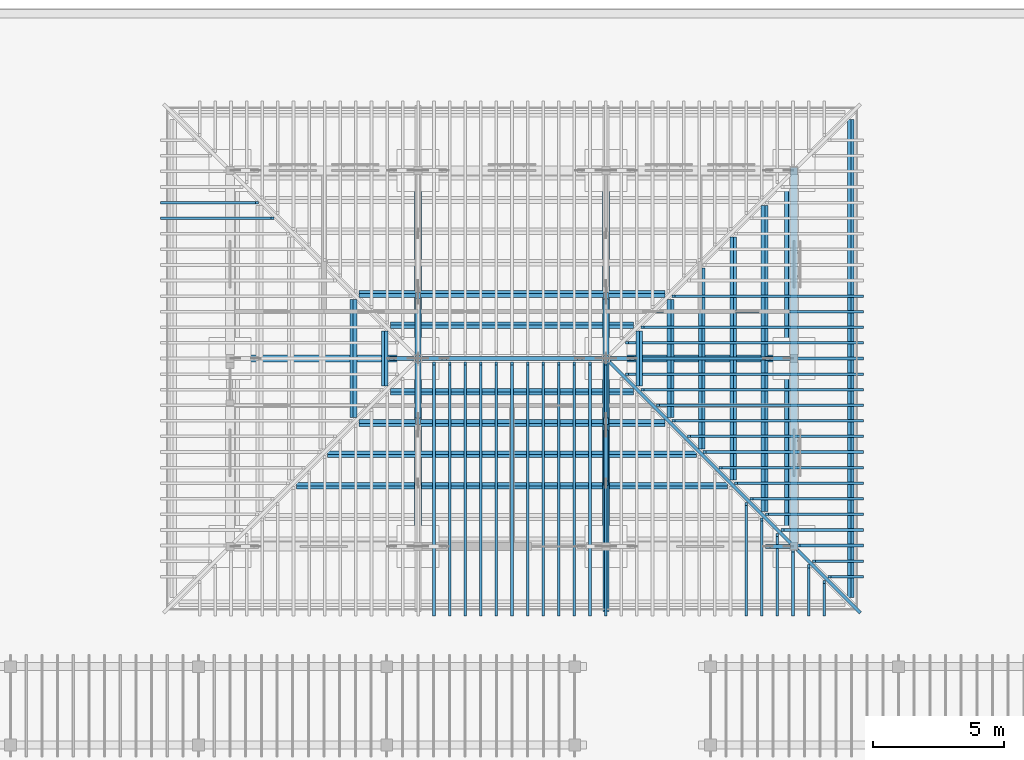
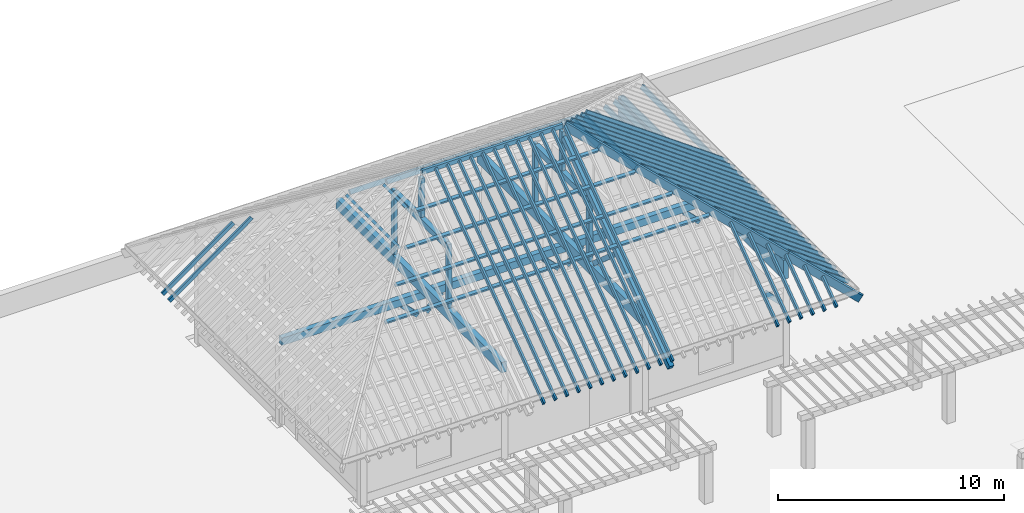
# One storey, part 12 of 84: 73 members, 4 beams.
"""IFC4 building model written with IfcOpenShell, lengths in metres."""

from ifc_helpers import new_model, si_unit, direction, frame, origin, origin_2d, place, context, subcontext, project, spatial, rectangle, extrude, material, material_profile, profile_set, type_object, element, save


model = new_model("IFC4")

# Units and contexts
model_context = context("Model", 3, precision=1e-05, world=origin(), true_north=direction((0.0, 1.0)))
body_context = subcontext(model_context, "Body", "Model", "MODEL_VIEW")
ifc_project = project(units=[si_unit("LENGTHUNIT", "METRE"), si_unit("AREAUNIT", "SQUARE_METRE"), si_unit("VOLUMEUNIT", "CUBIC_METRE"), si_unit("PLANEANGLEUNIT", "RADIAN"), si_unit("MASSUNIT", "GRAM", prefix="KILO")], contexts=[model_context])

# Site, building, storey
site_placement = place(None, origin())
site = spatial("IfcSite", under=ifc_project, at=site_placement, CompositionType="ELEMENT")
building_placement = place(site_placement, origin())
building = spatial("IfcBuilding", under=site, at=building_placement, Name="Mazhai Court Health Centre", CompositionType="ELEMENT")
storey_placement = place(building_placement, origin())
storey = spatial("IfcBuildingStorey", under=building, at=storey_placement, Name="L00", CompositionType="ELEMENT", Elevation=0.0)

# Members
ifc_material_1 = material(Name="Glulam GL24h", Category="wood")
ifc_material_profile_1 = material_profile(ifc_material_1, rectangle(XDim=0.10009765625, YDim=0.199951171875, at=origin_2d()), Name="GL24h 100x200")
ifc_profile_set_1 = profile_set([ifc_material_profile_1], Name="Glulam GL24h")
member_type_1 = type_object("IfcMemberType", Name="GL24h 100x200 rafter", PredefinedType="RAFTER", material=ifc_profile_set_1)
member_1_placement = place(storey_placement, frame((115.3544921875, 46.8017578125, 4.09375), z_axis=(0.0, 0.812418522715, 0.583074732731), x_axis=(-1.0, 0.0, 0.0)))
element("IfcMember", 1, at=member_1_placement, inside=storey, type_object=member_type_1, Name="Rafter RV3-RF1", PredefinedType="RAFTER", context=body_context, shape_type="SweptSolid", body=[
    extrude(rectangle(XDim=0.10009765625, YDim=0.199951171875, at=origin_2d()), origin(), (0.0, 0.0, 1.0), 1.532958984375),
])
member_2_placement = place(storey_placement, frame((114.7568359375, 46.8017578125, 4.09375), z_axis=(0.0, 0.812451818334, 0.583028337978), x_axis=(-1.0, 0.0, 0.0)))
element("IfcMember", 2, at=member_2_placement, inside=storey, type_object=member_type_1, Name="Rafter RV3-RF2", PredefinedType="RAFTER", context=body_context, shape_type="SweptSolid", body=[
    extrude(rectangle(XDim=0.10009765625, YDim=0.199951171875, at=origin_2d()), origin(), (0.0, 0.0, 1.0), 2.268798828125),
])
member_3_placement = place(storey_placement, frame((114.1591796875, 46.8017578125, 4.09375), z_axis=(0.0, 0.812402691267, 0.583096790612), x_axis=(-1.0, 0.0, 0.0)))
element("IfcMember", 3, at=member_3_placement, inside=storey, type_object=member_type_1, Name="Rafter RV3-RF3", PredefinedType="RAFTER", context=body_context, shape_type="SweptSolid", body=[
    extrude(rectangle(XDim=0.10009765625, YDim=0.199951171875, at=origin_2d()), origin(), (0.0, 0.0, 1.0), 3.004638671875),
])
member_4_placement = place(storey_placement, frame((113.561279296875, 46.8017578125, 4.09375), z_axis=(0.0, 0.812403810832, 0.58309523077), x_axis=(-1.0, 0.0, 0.0)))
element("IfcMember", 4, at=member_4_placement, inside=storey, type_object=member_type_1, Name="Rafter RV3-RF4", PredefinedType="RAFTER", context=body_context, shape_type="SweptSolid", body=[
    extrude(rectangle(XDim=0.10009765625, YDim=0.199951171875, at=origin_2d()), origin(), (0.0, 0.0, 1.0), 3.740234375),
])
member_5_placement = place(storey_placement, frame((112.963623046875, 46.8017578125, 4.09375), z_axis=(0.0, 0.812423106631, 0.583068345746), x_axis=(-1.0, 0.0, 0.0)))
element("IfcMember", 5, at=member_5_placement, inside=storey, type_object=member_type_1, Name="Rafter RV3-RF5", PredefinedType="RAFTER", context=body_context, shape_type="SweptSolid", body=[
    extrude(rectangle(XDim=0.10009765625, YDim=0.199951171875, at=origin_2d()), origin(), (0.0, 0.0, 1.0), 4.47607421875),
])
member_6_placement = place(storey_placement, frame((112.365966796875, 46.8017578125, 4.09375), z_axis=(0.0, 0.812421028402, 0.583071241453), x_axis=(-1.0, 0.0, 0.0)))
element("IfcMember", 6, at=member_6_placement, inside=storey, type_object=member_type_1, Name="Rafter RV3-RF6", PredefinedType="RAFTER", context=body_context, shape_type="SweptSolid", body=[
    extrude(rectangle(XDim=0.10009765625, YDim=0.199951171875, at=origin_2d()), origin(), (0.0, 0.0, 1.0), 5.211669921875),
])
for number, where, z_axis, x_axis, name in (
    (7, (106.986328125, 46.8017578125, 4.09375), (0.0, 0.812433146578, 0.583054356249), (-1.0, 0.0, 0.0), "Rafter RV3-RF15"),
    (8, (106.388671875, 46.8017578125, 4.09375), (0.0, 0.812433146578, 0.583054356249), (-1.0, 0.0, 0.0), "Rafter RV3-RF16"),
    (9, (105.791015625, 46.8017578125, 4.09375), (0.0, 0.812433146578, 0.583054356249), (-1.0, 0.0, 0.0), "Rafter RV3-RF17"),
    (10, (105.193115234375, 46.8017578125, 4.09375), (0.0, 0.812433146578, 0.583054356249), (-1.0, 0.0, 0.0), "Rafter RV3-RF18"),
    (11, (104.595458984375, 46.8017578125, 4.09375), (0.0, 0.812433146578, 0.583054356249), (-1.0, 0.0, 0.0), "Rafter RV3-RF19"),
    (12, (103.997802734375, 46.8017578125, 4.09375), (0.0, 0.812433146578, 0.583054356249), (-1.0, 0.0, 0.0), "Rafter RV3-RF20"),
    (13, (103.39990234375, 46.8017578125, 4.09375), (0.0, 0.812433146578, 0.583054356249), (-1.0, 0.0, 0.0), "Rafter RV3-RF21"),
    (14, (102.80224609375, 46.8017578125, 4.09375), (0.0, 0.812433146578, 0.583054356249), (-1.0, 0.0, 0.0), "Rafter RV3-RF22"),
    (15, (102.20458984375, 46.8017578125, 4.09375), (0.0, 0.812433146578, 0.583054356249), (-1.0, 0.0, 0.0), "Rafter RV3-RF23"),
    (16, (101.60693359375, 46.8017578125, 4.09375), (0.0, 0.812433146578, 0.583054356249), (-1.0, 0.0, 0.0), "Rafter RV3-RF24"),
    (17, (101.009033203125, 46.8017578125, 4.09375), (0.0, 0.812433146578, 0.583054356249), (-1.0, 0.0, 0.0), "Rafter RV3-RF25"),
    (18, (100.411376953125, 46.8017578125, 4.09375), (0.0, 0.812433146578, 0.583054356249), (-1.0, 0.0, 0.0), "Rafter RV3-RF26"),
):
    element("IfcMember", number, at=place(storey_placement, frame(where, z_axis=z_axis, x_axis=x_axis)), inside=storey, type_object=member_type_1, Name=name, PredefinedType="RAFTER", context=body_context, shape_type="SweptSolid", body=[
        extrude(rectangle(XDim=0.10009765625, YDim=0.199951171875, at=origin_2d()), origin(), (0.0, 0.0, 1.0), 11.81640625),
    ])
member_7_placement = place(storey_placement, frame((90.001708984375, 61.971923828125, 4.09375), z_axis=(0.81243825622, 0.0, 0.583047236362), x_axis=(0.0, 1.0, 0.0)))
element("IfcMember", 19, at=member_7_placement, inside=storey, type_object=member_type_1, Name="Rafter RV3-RF106", PredefinedType="RAFTER", context=body_context, shape_type="SweptSolid", body=[
    extrude(rectangle(XDim=0.10009765625, YDim=0.199951171875, at=origin_2d()), origin(), (0.0, 0.0, 1.0), 5.204345703125),
])
member_8_placement = place(storey_placement, frame((90.001708984375, 62.56884765625, 4.09375), z_axis=(0.812421256659, 0.0, 0.583070923412), x_axis=(0.0, 1.0, 0.0)))
element("IfcMember", 20, at=member_8_placement, inside=storey, type_object=member_type_1, Name="Rafter RV3-RF107", PredefinedType="RAFTER", context=body_context, shape_type="SweptSolid", body=[
    extrude(rectangle(XDim=0.10009765625, YDim=0.199951171875, at=origin_2d()), origin(), (0.0, 0.0, 1.0), 4.4697265625),
])
member_9_placement = place(storey_placement, frame((116.79833984375, 58.987548828125, 4.09375), z_axis=(-0.812432621832, 0.0, 0.583055087435), x_axis=(0.0, -1.0, 0.0)))
element("IfcMember", 21, at=member_9_placement, inside=storey, type_object=member_type_1, Name="Rafter RV3-RF122", PredefinedType="RAFTER", context=body_context, shape_type="SweptSolid", body=[
    extrude(rectangle(XDim=0.10009765625, YDim=0.199951171875, at=origin_2d()), origin(), (0.0, 0.0, 1.0), 8.8779296875),
])
member_10_placement = place(storey_placement, frame((116.79833984375, 58.390625, 4.09375), z_axis=(-0.812428926196, 0.0, 0.583060236923), x_axis=(0.0, -1.0, 0.0)))
element("IfcMember", 22, at=member_10_placement, inside=storey, type_object=member_type_1, Name="Rafter RV3-RF123", PredefinedType="RAFTER", context=body_context, shape_type="SweptSolid", body=[
    extrude(rectangle(XDim=0.10009765625, YDim=0.199951171875, at=origin_2d()), origin(), (0.0, 0.0, 1.0), 9.612548828125),
])
member_11_placement = place(storey_placement, frame((116.79833984375, 57.793701171875, 4.09375), z_axis=(-0.812428910822, 0.0, 0.583060258345), x_axis=(0.0, -1.0, 0.0)))
element("IfcMember", 23, at=member_11_placement, inside=storey, type_object=member_type_1, Name="Rafter RV3-RF124", PredefinedType="RAFTER", context=body_context, shape_type="SweptSolid", body=[
    extrude(rectangle(XDim=0.10009765625, YDim=0.199951171875, at=origin_2d()), origin(), (0.0, 0.0, 1.0), 10.34716796875),
])
member_12_placement = place(storey_placement, frame((116.79833984375, 57.19677734375, 4.09375), z_axis=(-0.812425951184, 0.0, 0.583064382245), x_axis=(0.0, -1.0, 0.0)))
element("IfcMember", 24, at=member_12_placement, inside=storey, type_object=member_type_1, Name="Rafter RV3-RF125", PredefinedType="RAFTER", context=body_context, shape_type="SweptSolid", body=[
    extrude(rectangle(XDim=0.10009765625, YDim=0.199951171875, at=origin_2d()), origin(), (0.0, 0.0, 1.0), 11.081787109375),
])
member_13_placement = place(storey_placement, frame((116.79833984375, 56.60009765625, 4.09375), z_axis=(-0.812433146578, 0.0, 0.583054356249), x_axis=(0.0, -1.0, 0.0)))
element("IfcMember", 25, at=member_13_placement, inside=storey, type_object=member_type_1, Name="Rafter RV3-RF126", PredefinedType="RAFTER", context=body_context, shape_type="SweptSolid", body=[
    extrude(rectangle(XDim=0.10009765625, YDim=0.199951171875, at=origin_2d()), origin(), (0.0, 0.0, 1.0), 11.81640625),
])
member_14_placement = place(storey_placement, frame((116.79833984375, 56.003173828125, 4.09375), z_axis=(-0.812425951184, 0.0, 0.583064382245), x_axis=(0.0, -1.0, 0.0)))
element("IfcMember", 26, at=member_14_placement, inside=storey, type_object=member_type_1, Name="Rafter RV3-RF127", PredefinedType="RAFTER", context=body_context, shape_type="SweptSolid", body=[
    extrude(rectangle(XDim=0.10009765625, YDim=0.199951171875, at=origin_2d()), origin(), (0.0, 0.0, 1.0), 11.081787109375),
])
member_15_placement = place(storey_placement, frame((116.79833984375, 55.40625, 4.09375), z_axis=(-0.812428910822, 0.0, 0.583060258345), x_axis=(0.0, -1.0, 0.0)))
element("IfcMember", 27, at=member_15_placement, inside=storey, type_object=member_type_1, Name="Rafter RV3-RF128", PredefinedType="RAFTER", context=body_context, shape_type="SweptSolid", body=[
    extrude(rectangle(XDim=0.10009765625, YDim=0.199951171875, at=origin_2d()), origin(), (0.0, 0.0, 1.0), 10.34716796875),
])
member_16_placement = place(storey_placement, frame((116.79833984375, 54.809326171875, 4.09375), z_axis=(-0.812428926196, 0.0, 0.583060236923), x_axis=(0.0, -1.0, 0.0)))
element("IfcMember", 28, at=member_16_placement, inside=storey, type_object=member_type_1, Name="Rafter RV3-RF129", PredefinedType="RAFTER", context=body_context, shape_type="SweptSolid", body=[
    extrude(rectangle(XDim=0.10009765625, YDim=0.199951171875, at=origin_2d()), origin(), (0.0, 0.0, 1.0), 9.612548828125),
])
member_17_placement = place(storey_placement, frame((116.79833984375, 54.21240234375, 4.09375), z_axis=(-0.812432621832, 0.0, 0.583055087435), x_axis=(0.0, -1.0, 0.0)))
element("IfcMember", 29, at=member_17_placement, inside=storey, type_object=member_type_1, Name="Rafter RV3-RF130", PredefinedType="RAFTER", context=body_context, shape_type="SweptSolid", body=[
    extrude(rectangle(XDim=0.10009765625, YDim=0.199951171875, at=origin_2d()), origin(), (0.0, 0.0, 1.0), 8.8779296875),
])
member_18_placement = place(storey_placement, frame((116.79833984375, 53.61572265625, 4.09375), z_axis=(-0.812436984369, 0.0, 0.5830490086), x_axis=(0.0, -1.0, 0.0)))
element("IfcMember", 30, at=member_18_placement, inside=storey, type_object=member_type_1, Name="Rafter RV3-RF131", PredefinedType="RAFTER", context=body_context, shape_type="SweptSolid", body=[
    extrude(rectangle(XDim=0.10009765625, YDim=0.199951171875, at=origin_2d()), origin(), (0.0, 0.0, 1.0), 8.14306640625),
])
member_19_placement = place(storey_placement, frame((116.79833984375, 53.018798828125, 4.09375), z_axis=(-0.812426601812, 0.0, 0.583063475677), x_axis=(0.0, -1.0, 0.0)))
element("IfcMember", 31, at=member_19_placement, inside=storey, type_object=member_type_1, Name="Rafter RV3-RF132", PredefinedType="RAFTER", context=body_context, shape_type="SweptSolid", body=[
    extrude(rectangle(XDim=0.10009765625, YDim=0.199951171875, at=origin_2d()), origin(), (0.0, 0.0, 1.0), 7.408447265625),
])
member_20_placement = place(storey_placement, frame((116.79833984375, 52.421875, 4.09375), z_axis=(-0.812431262161, 0.0, 0.583056982003), x_axis=(0.0, -1.0, 0.0)))
element("IfcMember", 32, at=member_20_placement, inside=storey, type_object=member_type_1, Name="Rafter RV3-RF133", PredefinedType="RAFTER", context=body_context, shape_type="SweptSolid", body=[
    extrude(rectangle(XDim=0.10009765625, YDim=0.199951171875, at=origin_2d()), origin(), (0.0, 0.0, 1.0), 6.673583984375),
])
member_21_placement = place(storey_placement, frame((116.79833984375, 51.824951171875, 4.09375), z_axis=(-0.812431577809, 0.0, 0.58305654218), x_axis=(0.0, -1.0, 0.0)))
element("IfcMember", 33, at=member_21_placement, inside=storey, type_object=member_type_1, Name="Rafter RV3-RF134", PredefinedType="RAFTER", context=body_context, shape_type="SweptSolid", body=[
    extrude(rectangle(XDim=0.10009765625, YDim=0.199951171875, at=origin_2d()), origin(), (0.0, 0.0, 1.0), 5.939208984375),
])
member_22_placement = place(storey_placement, frame((116.79833984375, 51.22802734375, 4.09375), z_axis=(-0.81243825622, 0.0, 0.583047236362), x_axis=(0.0, -1.0, 0.0)))
element("IfcMember", 34, at=member_22_placement, inside=storey, type_object=member_type_1, Name="Rafter RV3-RF135", PredefinedType="RAFTER", context=body_context, shape_type="SweptSolid", body=[
    extrude(rectangle(XDim=0.10009765625, YDim=0.199951171875, at=origin_2d()), origin(), (0.0, 0.0, 1.0), 5.204345703125),
])
member_23_placement = place(storey_placement, frame((116.79833984375, 50.63134765625, 4.09375), z_axis=(-0.812421256659, 0.0, 0.583070923412), x_axis=(0.0, -1.0, 0.0)))
element("IfcMember", 35, at=member_23_placement, inside=storey, type_object=member_type_1, Name="Rafter RV3-RF136", PredefinedType="RAFTER", context=body_context, shape_type="SweptSolid", body=[
    extrude(rectangle(XDim=0.10009765625, YDim=0.199951171875, at=origin_2d()), origin(), (0.0, 0.0, 1.0), 4.4697265625),
])
member_24_placement = place(storey_placement, frame((116.79833984375, 50.034423828125, 4.09375), z_axis=(-0.812428532233, 0.0, 0.583060785865), x_axis=(0.0, -1.0, 0.0)))
element("IfcMember", 36, at=member_24_placement, inside=storey, type_object=member_type_1, Name="Rafter RV3-RF137", PredefinedType="RAFTER", context=body_context, shape_type="SweptSolid", body=[
    extrude(rectangle(XDim=0.10009765625, YDim=0.199951171875, at=origin_2d()), origin(), (0.0, 0.0, 1.0), 3.735107421875),
])
member_25_placement = place(storey_placement, frame((116.79833984375, 49.4375, 4.09375), z_axis=(-0.812439371271, 0.0, 0.583045682608), x_axis=(0.0, -1.0, 0.0)))
element("IfcMember", 37, at=member_25_placement, inside=storey, type_object=member_type_1, Name="Rafter RV3-RF138", PredefinedType="RAFTER", context=body_context, shape_type="SweptSolid", body=[
    extrude(rectangle(XDim=0.10009765625, YDim=0.199951171875, at=origin_2d()), origin(), (0.0, 0.0, 1.0), 3.000244140625),
])
member_26_placement = place(storey_placement, frame((116.79833984375, 48.840576171875, 4.09375), z_axis=(-0.812442827125, 0.0, 0.583040867052), x_axis=(0.0, -1.0, 0.0)))
element("IfcMember", 38, at=member_26_placement, inside=storey, type_object=member_type_1, Name="Rafter RV3-RF139", PredefinedType="RAFTER", context=body_context, shape_type="SweptSolid", body=[
    extrude(rectangle(XDim=0.10009765625, YDim=0.199951171875, at=origin_2d()), origin(), (0.0, 0.0, 1.0), 2.265869140625),
])
member_27_placement = place(storey_placement, frame((116.79833984375, 48.24365234375, 4.09375), z_axis=(-0.81247092687, 0.0, 0.583001709252), x_axis=(0.0, -1.0, 0.0)))
element("IfcMember", 39, at=member_27_placement, inside=storey, type_object=member_type_1, Name="Rafter RV3-RF140", PredefinedType="RAFTER", context=body_context, shape_type="SweptSolid", body=[
    extrude(rectangle(XDim=0.10009765625, YDim=0.199951171875, at=origin_2d()), origin(), (0.0, 0.0, 1.0), 1.531005859375),
])
ifc_material_2 = material(Name="Glulam GL24h", Category="wood")
ifc_material_profile_2 = material_profile(ifc_material_2, rectangle(XDim=0.1201171875, YDim=0.43994140625, at=origin_2d()), Name="GL24h 120x440")
ifc_profile_set_2 = profile_set([ifc_material_profile_2], Name="Glulam GL24h")
member_type_2 = type_object("IfcMemberType", Name="GL24h 120x440 hip rafter", PredefinedType="RAFTER", material=ifc_profile_set_2)
member_28_placement = place(storey_placement, frame((114.282958984375, 49.31689453125, 5.72705078125), z_axis=(-0.63056112461, 0.63056112461, 0.452532138374), x_axis=(-0.707106781187, -0.707106781187, 0.0)))
element("IfcMember", 40, at=member_28_placement, inside=storey, type_object=member_type_2, Name="Hip rafter RV3-HR3", PredefinedType="RAFTER", context=body_context, shape_type="SweptSolid", body=[
    extrude(rectangle(XDim=0.1201171875, YDim=0.43994140625, at=origin_2d()), origin(), (0.0, 0.0, 1.0), 11.4384765625),
])
member_29_placement = place(storey_placement, frame((116.67041015625, 46.9296875, 4.013671875), z_axis=(-0.630554801761, 0.630554801761, 0.452549758538), x_axis=(-0.707106781187, -0.707106781187, 0.0)))
element("IfcMember", 41, at=member_29_placement, inside=storey, type_object=member_type_2, Name="Hip rafter tail RV3-HR4", PredefinedType="RAFTER", context=body_context, shape_type="SweptSolid", body=[
    extrude(rectangle(XDim=0.1201171875, YDim=0.43994140625, at=origin_2d()), origin(), (0.0, 0.0, 1.0), 3.805908203125),
])
ifc_material_3 = material(Name="Glulam GL24h", Category="wood")
ifc_material_profile_3 = material_profile(ifc_material_3, rectangle(XDim=0.139892578125, YDim=0.239990234375, at=origin_2d()), Name="GL24h 140x240")
ifc_profile_set_3 = profile_set([ifc_material_profile_3], Name="Glulam GL24h")
member_type_3 = type_object("IfcMemberType", Name="GL24h 140x240 purlin", PredefinedType="PURLIN", material=ifc_profile_set_3)
member_30_placement = place(storey_placement, frame((95.1416015625, 51.72998046875, 7.35986328125), z_axis=(1.0, 0.0, 0.0), x_axis=(0.0, 0.81243100259, 0.58305734369)))
element("IfcMember", 42, at=member_30_placement, inside=storey, type_object=member_type_3, Name="Purlin RV3-PU4", PredefinedType="PURLIN", context=body_context, shape_type="SweptSolid", body=[
    extrude(rectangle(XDim=0.139892578125, YDim=0.239990234375, at=origin_2d()), origin(), (0.0, 0.0, 1.0), 16.5166015625),
])
member_31_placement = place(storey_placement, frame((96.341796875, 52.929931640625, 8.22119140625), z_axis=(1.0, 0.0, 0.0), x_axis=(0.0, 0.81243100259, 0.58305734369)))
element("IfcMember", 43, at=member_31_placement, inside=storey, type_object=member_type_3, Name="Purlin RV3-PU5", PredefinedType="PURLIN", context=body_context, shape_type="SweptSolid", body=[
    extrude(rectangle(XDim=0.139892578125, YDim=0.239990234375, at=origin_2d()), origin(), (0.0, 0.0, 1.0), 14.116455078125),
])
member_32_placement = place(storey_placement, frame((97.541748046875, 54.130126953125, 9.082275390625), z_axis=(1.0, 0.0, 0.0), x_axis=(0.0, 0.81243100259, 0.58305734369)))
element("IfcMember", 44, at=member_32_placement, inside=storey, type_object=member_type_3, Name="Purlin RV3-PU6", PredefinedType="PURLIN", context=body_context, shape_type="SweptSolid", body=[
    extrude(rectangle(XDim=0.139892578125, YDim=0.239990234375, at=origin_2d()), origin(), (0.0, 0.0, 1.0), 11.716552734375),
])
member_33_placement = place(storey_placement, frame((98.74169921875, 55.330078125, 9.943603515625), z_axis=(1.0, 0.0, 0.0), x_axis=(0.0, 0.81243100259, 0.58305734369)))
element("IfcMember", 45, at=member_33_placement, inside=storey, type_object=member_type_3, Name="Purlin RV3-PU7", PredefinedType="PURLIN", context=body_context, shape_type="SweptSolid", body=[
    extrude(rectangle(XDim=0.139892578125, YDim=0.239990234375, at=origin_2d()), origin(), (0.0, 0.0, 1.0), 9.316650390625),
])
member_34_placement = place(storey_placement, frame((97.541748046875, 59.070068359375, 9.082275390625), z_axis=(1.0, 0.0, 0.0), x_axis=(0.0, 0.81243100259, -0.58305734369)))
element("IfcMember", 46, at=member_34_placement, inside=storey, type_object=member_type_3, Name="Purlin RV3-PU13", PredefinedType="PURLIN", context=body_context, shape_type="SweptSolid", body=[
    extrude(rectangle(XDim=0.139892578125, YDim=0.239990234375, at=origin_2d()), origin(), (0.0, 0.0, 1.0), 11.716552734375),
])
member_35_placement = place(storey_placement, frame((98.74169921875, 57.869873046875, 9.943603515625), z_axis=(1.0, 0.0, 0.0), x_axis=(0.0, 0.81243100259, -0.58305734369)))
element("IfcMember", 47, at=member_35_placement, inside=storey, type_object=member_type_3, Name="Purlin RV3-PU14", PredefinedType="PURLIN", context=body_context, shape_type="SweptSolid", body=[
    extrude(rectangle(XDim=0.139892578125, YDim=0.239990234375, at=origin_2d()), origin(), (0.0, 0.0, 1.0), 9.316650390625),
])
member_36_placement = place(storey_placement, frame((97.330078125, 54.341796875, 9.082275390625), z_axis=(0.0, 1.0, 0.0), x_axis=(-0.81243100259, 0.0, -0.58305734369)))
element("IfcMember", 48, at=member_36_placement, inside=storey, type_object=member_type_3, Name="Purlin RV3-PU20", PredefinedType="PURLIN", context=body_context, shape_type="SweptSolid", body=[
    extrude(rectangle(XDim=0.139892578125, YDim=0.239990234375, at=origin_2d()), origin(), (0.0, 0.0, 1.0), 4.5166015625),
])
member_37_placement = place(storey_placement, frame((98.530029296875, 55.541748046875, 9.943603515625), z_axis=(0.0, 1.0, 0.0), x_axis=(-0.81243100259, 0.0, -0.58305734369)))
element("IfcMember", 49, at=member_37_placement, inside=storey, type_object=member_type_3, Name="Purlin RV3-PU21", PredefinedType="PURLIN", context=body_context, shape_type="SweptSolid", body=[
    extrude(rectangle(XDim=0.139892578125, YDim=0.239990234375, at=origin_2d()), origin(), (0.0, 0.0, 1.0), 2.116455078125),
])
member_38_placement = place(storey_placement, frame((116.369873046875, 47.441650390625, 4.13037109375), z_axis=(0.0, 1.0, 0.0), x_axis=(-0.81243100259, 0.0, 0.58305734369)))
element("IfcMember", 50, at=member_38_placement, inside=storey, type_object=member_type_3, Name="Purlin RV3-PU22", PredefinedType="PURLIN", context=body_context, shape_type="SweptSolid", body=[
    extrude(rectangle(XDim=0.139892578125, YDim=0.239990234375, at=origin_2d()), origin(), (0.0, 0.0, 1.0), 18.316650390625),
])
member_39_placement = place(storey_placement, frame((113.969970703125, 49.841796875, 5.852783203125), z_axis=(0.0, 1.0, 0.0), x_axis=(-0.81243100259, 0.0, 0.58305734369)))
element("IfcMember", 51, at=member_39_placement, inside=storey, type_object=member_type_3, Name="Purlin RV3-PU23", PredefinedType="PURLIN", context=body_context, shape_type="SweptSolid", body=[
    extrude(rectangle(XDim=0.139892578125, YDim=0.239990234375, at=origin_2d()), origin(), (0.0, 0.0, 1.0), 13.5166015625),
])
member_40_placement = place(storey_placement, frame((113.070068359375, 50.74169921875, 6.498779296875), z_axis=(0.0, 1.0, 0.0), x_axis=(-0.81243100259, 0.0, 0.58305734369)))
element("IfcMember", 52, at=member_40_placement, inside=storey, type_object=member_type_3, Name="Purlin RV3-PU24", PredefinedType="PURLIN", context=body_context, shape_type="SweptSolid", body=[
    extrude(rectangle(XDim=0.139892578125, YDim=0.239990234375, at=origin_2d()), origin(), (0.0, 0.0, 1.0), 11.716552734375),
])
member_41_placement = place(storey_placement, frame((111.869873046875, 51.941650390625, 7.35986328125), z_axis=(0.0, 1.0, 0.0), x_axis=(-0.81243100259, 0.0, 0.58305734369)))
element("IfcMember", 53, at=member_41_placement, inside=storey, type_object=member_type_3, Name="Purlin RV3-PU25", PredefinedType="PURLIN", context=body_context, shape_type="SweptSolid", body=[
    extrude(rectangle(XDim=0.139892578125, YDim=0.239990234375, at=origin_2d()), origin(), (0.0, 0.0, 1.0), 9.316650390625),
])
member_42_placement = place(storey_placement, frame((110.669921875, 53.1416015625, 8.22119140625), z_axis=(0.0, 1.0, 0.0), x_axis=(-0.81243100259, 0.0, 0.58305734369)))
element("IfcMember", 54, at=member_42_placement, inside=storey, type_object=member_type_3, Name="Purlin RV3-PU26", PredefinedType="PURLIN", context=body_context, shape_type="SweptSolid", body=[
    extrude(rectangle(XDim=0.139892578125, YDim=0.239990234375, at=origin_2d()), origin(), (0.0, 0.0, 1.0), 6.916748046875),
])
member_43_placement = place(storey_placement, frame((109.469970703125, 54.341796875, 9.082275390625), z_axis=(0.0, 1.0, 0.0), x_axis=(-0.81243100259, 0.0, 0.58305734369)))
element("IfcMember", 55, at=member_43_placement, inside=storey, type_object=member_type_3, Name="Purlin RV3-PU27", PredefinedType="PURLIN", context=body_context, shape_type="SweptSolid", body=[
    extrude(rectangle(XDim=0.139892578125, YDim=0.239990234375, at=origin_2d()), origin(), (0.0, 0.0, 1.0), 4.5166015625),
])
member_44_placement = place(storey_placement, frame((108.27001953125, 55.541748046875, 9.943603515625), z_axis=(0.0, 1.0, 0.0), x_axis=(-0.81243100259, 0.0, 0.58305734369)))
element("IfcMember", 56, at=member_44_placement, inside=storey, type_object=member_type_3, Name="Purlin RV3-PU28", PredefinedType="PURLIN", context=body_context, shape_type="SweptSolid", body=[
    extrude(rectangle(XDim=0.139892578125, YDim=0.239990234375, at=origin_2d()), origin(), (0.0, 0.0, 1.0), 2.116455078125),
])
ifc_material_4 = material(Name="Glulam GL24h", Category="wood")
ifc_material_profile_4 = material_profile(ifc_material_4, rectangle(XDim=0.139892578125, YDim=0.239990234375, at=origin_2d()), Name="GL24h 140x240")
ifc_profile_set_4 = profile_set([ifc_material_profile_4], Name="Glulam GL24h")
member_type_4 = type_object("IfcMemberType", Name="GL24h 140x240 ridge purlin", PredefinedType="PURLIN", material=ifc_profile_set_4)
member_45_placement = place(storey_placement, frame((99.800048828125, 56.60009765625, 10.882568359375), z_axis=(1.0, 0.0, 0.0), x_axis=(0.0, 1.0, 0.0)))
element("IfcMember", 57, at=member_45_placement, inside=storey, type_object=member_type_4, Name="Ridge purlin RV3-RP1", PredefinedType="PURLIN", context=body_context, shape_type="SweptSolid", body=[
    extrude(rectangle(XDim=0.139892578125, YDim=0.239990234375, at=origin_2d()), origin(), (0.0, 0.0, 1.0), 7.199951171875),
])
ifc_material_5 = material(Name="Glulam GL24h", Category="wood")
ifc_material_profile_5 = material_profile(ifc_material_5, rectangle(XDim=0.139892578125, YDim=0.239990234375, at=origin_2d()), Name="GL24h 140x240")
ifc_profile_set_5 = profile_set([ifc_material_profile_5], Name="Glulam GL24h")
member_type_5 = type_object("IfcMemberType", Name="GL24h 140x240 strut", PredefinedType="BRACE", material=ifc_profile_set_5)
member_46_placement = place(storey_placement, frame((107.0, 53.7763671875, 5.150634765625), z_axis=(0.0, -0.754727263875, 0.656038685722), x_axis=(1.0, 0.0, 0.0)))
element("IfcMember", 58, at=member_46_placement, inside=storey, type_object=member_type_5, Name="Strut TV3-2-S1", PredefinedType="BRACE", context=body_context, shape_type="SweptSolid", body=[
    extrude(rectangle(XDim=0.139892578125, YDim=0.239990234375, at=origin_2d()), origin(), (0.0, 0.0, 1.0), 2.590087890625),
])
ifc_material_6 = material(Name="Glulam GL28h", Category="wood")
ifc_material_profile_6 = material_profile(ifc_material_6, rectangle(XDim=0.139892578125, YDim=0.239990234375, at=origin_2d()), Name="GL28h 140x240")
ifc_profile_set_6 = profile_set([ifc_material_profile_6], Name="Glulam GL28h")
member_type_6 = type_object("IfcMemberType", Name="GL28h 140x240 knee brace", PredefinedType="BRACE", material=ifc_profile_set_6)
for number, where, z_axis, x_axis, name in (
    (59, (113.985107421875, 49.39990234375, 3.2548828125), (-0.707106781187, 0.0, 0.707106781187), (0.0, -1.0, 0.0), "brace-V3-L00-30w"),
    (60, (99.585205078125, 56.60009765625, 3.2548828125), (-0.707106781187, 0.0, 0.707106781187), (0.0, -1.0, 0.0), "brace-V3-L00-11w"),
    (61, (100.014892578125, 56.60009765625, 3.2548828125), (0.707106781187, 0.0, 0.707106781187), (0.0, 1.0, 0.0), "brace-V3-L00-11p"),
    (62, (106.78515625, 56.60009765625, 3.2548828125), (-0.707106781187, 0.0, 0.707106781187), (0.0, -1.0, 0.0), "brace-V3-L00-21w"),
    (63, (107.21484375, 56.60009765625, 3.2548828125), (0.707106781187, 0.0, 0.707106781187), (0.0, 1.0, 0.0), "brace-V3-L00-21p"),
    (64, (113.985107421875, 56.60009765625, 3.2548828125), (-0.707106781187, 0.0, 0.707106781187), (0.0, -1.0, 0.0), "brace-V3-L00-31w"),
):
    element("IfcMember", number, at=place(storey_placement, frame(where, z_axis=z_axis, x_axis=x_axis)), inside=storey, type_object=member_type_6, Name=name, PredefinedType="BRACE", context=body_context, shape_type="SweptSolid", body=[
        extrude(rectangle(XDim=0.139892578125, YDim=0.239990234375, at=origin_2d()), origin(), (0.0, 0.0, 1.0), 1.11767578125),
    ])
ifc_material_7 = material(Name="Glulam GL28h", Category="wood")
ifc_material_profile_7 = material_profile(ifc_material_7, rectangle(XDim=0.199951171875, YDim=0.239990234375, at=origin_2d()), Name="GL28h 200x240")
ifc_profile_set_7 = profile_set([ifc_material_profile_7], Name="Glulam GL28h")
member_type_7 = type_object("IfcMemberType", Name="GL28h 200x240 post", PredefinedType="POST", material=ifc_profile_set_7)
for number, where, z_axis, x_axis, name in (
    (65, (99.800048828125, 54.199951171875, 5.06005859375), (0.0, 0.0, 1.0), (1.0, 0.0, 0.0), "Post TV3-1-P1"),
    (66, (99.800048828125, 59.0, 5.06005859375), (0.0, 0.0, 1.0), (1.0, 0.0, 0.0), "Post TV3-1-P2"),
):
    element("IfcMember", number, at=place(storey_placement, frame(where, z_axis=z_axis, x_axis=x_axis)), inside=storey, type_object=member_type_7, Name=name, PredefinedType="POST", context=body_context, shape_type="SweptSolid", body=[
        extrude(rectangle(XDim=0.199951171875, YDim=0.239990234375, at=origin_2d()), origin(), (0.0, 0.0, 1.0), 3.44482421875),
    ])
member_47_placement = place(storey_placement, frame((99.800048828125, 56.60009765625, 8.5048828125), z_axis=(0.0, 0.0, 1.0), x_axis=(1.0, 0.0, 0.0)))
element("IfcMember", 67, at=member_47_placement, inside=storey, type_object=member_type_7, Name="Post TV3-1-P3", PredefinedType="POST", context=body_context, shape_type="SweptSolid", body=[
    extrude(rectangle(XDim=0.199951171875, YDim=0.239990234375, at=origin_2d()), origin(), (0.0, 0.0, 1.0), 2.1162109375),
])
for number, where, z_axis, x_axis, name in (
    (68, (107.0, 54.199951171875, 5.06005859375), (0.0, 0.0, 1.0), (1.0, 0.0, 0.0), "Post TV3-2-P1"),
    (69, (107.0, 59.0, 5.06005859375), (0.0, 0.0, 1.0), (1.0, 0.0, 0.0), "Post TV3-2-P2"),
):
    element("IfcMember", number, at=place(storey_placement, frame(where, z_axis=z_axis, x_axis=x_axis)), inside=storey, type_object=member_type_7, Name=name, PredefinedType="POST", context=body_context, shape_type="SweptSolid", body=[
        extrude(rectangle(XDim=0.199951171875, YDim=0.239990234375, at=origin_2d()), origin(), (0.0, 0.0, 1.0), 3.44482421875),
    ])
member_48_placement = place(storey_placement, frame((107.0, 56.60009765625, 8.5048828125), z_axis=(0.0, 0.0, 1.0), x_axis=(1.0, 0.0, 0.0)))
element("IfcMember", 70, at=member_48_placement, inside=storey, type_object=member_type_7, Name="Post TV3-2-P3", PredefinedType="POST", context=body_context, shape_type="SweptSolid", body=[
    extrude(rectangle(XDim=0.199951171875, YDim=0.239990234375, at=origin_2d()), origin(), (0.0, 0.0, 1.0), 2.1162109375),
])
ifc_material_8 = material(Name="Glulam GL28h", Category="wood")
ifc_material_profile_8 = material_profile(ifc_material_8, rectangle(XDim=0.239990234375, YDim=0.320068359375, at=origin_2d()), Name="GL28h 240x320")
ifc_profile_set_8 = profile_set([ifc_material_profile_8], Name="Glulam GL28h")
member_type_8 = type_object("IfcMemberType", Name="GL28h 240x320 collar", PredefinedType="COLLAR", material=ifc_profile_set_8)
for number, where, z_axis, x_axis, name in (
    (71, (99.800048828125, 54.320068359375, 8.3447265625), (0.0, 1.0, 0.0), (-1.0, 0.0, 0.0), "Collar TV3-1-SB1"),
    (72, (107.0, 54.320068359375, 8.3447265625), (0.0, 1.0, 0.0), (-1.0, 0.0, 0.0), "Collar TV3-2-SB1"),
):
    element("IfcMember", number, at=place(storey_placement, frame(where, z_axis=z_axis, x_axis=x_axis)), inside=storey, type_object=member_type_8, Name=name, PredefinedType="COLLAR", context=body_context, shape_type="SweptSolid", body=[
        extrude(rectangle(XDim=0.239990234375, YDim=0.320068359375, at=origin_2d()), origin(), (0.0, 0.0, 1.0), 4.559814453125),
    ])
ifc_material_9 = material(Name="Glulam GL28h", Category="wood")
ifc_material_profile_9 = material_profile(ifc_material_9, rectangle(XDim=0.239990234375, YDim=0.320068359375, at=origin_2d()), Name="GL28h 240x320")
ifc_profile_set_9 = profile_set([ifc_material_profile_9], Name="Glulam GL28h")
member_type_9 = type_object("IfcMemberType", Name="GL28h 240x320 rafter", PredefinedType="CHORD", material=ifc_profile_set_9)
member_49_placement = place(storey_placement, frame((107.0, 47.0, 3.62060546875), z_axis=(0.0, 0.812428537861, 0.583060778023), x_axis=(-1.0, 0.0, 0.0)))
element("IfcMember", 73, at=member_49_placement, inside=storey, type_object=member_type_9, Name="Rafter TV3-2-R1", PredefinedType="CHORD", context=body_context, shape_type="SweptSolid", body=[
    extrude(rectangle(XDim=0.239990234375, YDim=0.320068359375, at=origin_2d()), origin(), (0.0, 0.0, 1.0), 11.572265625),
])

# Beams
ifc_material_10 = material(Name="Glulam GL28h", Category="wood")
ifc_material_profile_10 = material_profile(ifc_material_10, rectangle(XDim=0.280029296875, YDim=1.0400390625, at=origin_2d()), Name="GL28h 280x1040")
ifc_profile_set_10 = profile_set([ifc_material_profile_10], Name="Glulam GL28h")
beam_type_1 = type_object("IfcBeamType", Name="GL28h 280x1040 hip end beam", PredefinedType="BEAM", material=ifc_profile_set_10)
beam_1_placement = place(storey_placement, frame((114.199951171875, 49.280029296875, 5.02001953125), z_axis=(0.0, 1.0, 0.0), x_axis=(-1.0, 0.0, 0.0)))
element("IfcBeam", 74, at=beam_1_placement, inside=storey, type_object=beam_type_1, Name="beam-V3-L00-hipend1", PredefinedType="BEAM", context=body_context, shape_type="SweptSolid", body=[
    extrude(rectangle(XDim=0.280029296875, YDim=1.0400390625, at=origin_2d()), origin(), (0.0, 0.0, 1.0), 14.639892578125),
])
ifc_material_11 = material(Name="Glulam GL28h", Category="wood")
ifc_material_profile_11 = material_profile(ifc_material_11, rectangle(XDim=0.280029296875, YDim=0.39990234375, at=origin_2d()), Name="GL28h 280x400")
ifc_profile_set_11 = profile_set([ifc_material_profile_11], Name="Glulam GL28h")
beam_type_2 = type_object("IfcBeamType", Name="GL28h 280x400 beam", PredefinedType="BEAM", material=ifc_profile_set_11)
beam_2_placement = place(storey_placement, frame((92.60009765625, 56.60009765625, 4.300048828125), z_axis=(1.0, 0.0, 0.0), x_axis=(0.0, 1.0, 0.0)))
element("IfcBeam", 75, at=beam_2_placement, inside=storey, type_object=beam_type_2, Name="beam-V3-L00-e1", PredefinedType="BEAM", context=body_context, shape_type="SweptSolid", body=[
    extrude(rectangle(XDim=0.280029296875, YDim=0.39990234375, at=origin_2d()), origin(), (0.0, 0.0, 1.0), 21.599853515625),
])
ifc_material_12 = material(Name="Glulam GL28h", Category="wood")
ifc_material_profile_12 = material_profile(ifc_material_12, rectangle(XDim=0.280029296875, YDim=0.56005859375, at=origin_2d()), Name="GL28h 280x560")
ifc_profile_set_12 = profile_set([ifc_material_profile_12], Name="Glulam GL28h")
beam_type_3 = type_object("IfcBeamType", Name="GL28h 280x560 tie", PredefinedType="BEAM", material=ifc_profile_set_12)
for number, where, z_axis, x_axis, name in (
    (76, (99.800048828125, 49.280029296875, 4.780029296875), (0.0, 1.0, 0.0), (-1.0, 0.0, 0.0), "Tie TV3-1-TB1"),
    (77, (107.0, 49.280029296875, 4.780029296875), (0.0, 1.0, 0.0), (-1.0, 0.0, 0.0), "Tie TV3-2-TB1"),
):
    element("IfcBeam", number, at=place(storey_placement, frame(where, z_axis=z_axis, x_axis=x_axis)), inside=storey, type_object=beam_type_3, Name=name, PredefinedType="BEAM", context=body_context, shape_type="SweptSolid", body=[
        extrude(rectangle(XDim=0.280029296875, YDim=0.56005859375, at=origin_2d()), origin(), (0.0, 0.0, 1.0), 14.639892578125),
    ])

save(model, "model.ifc")
